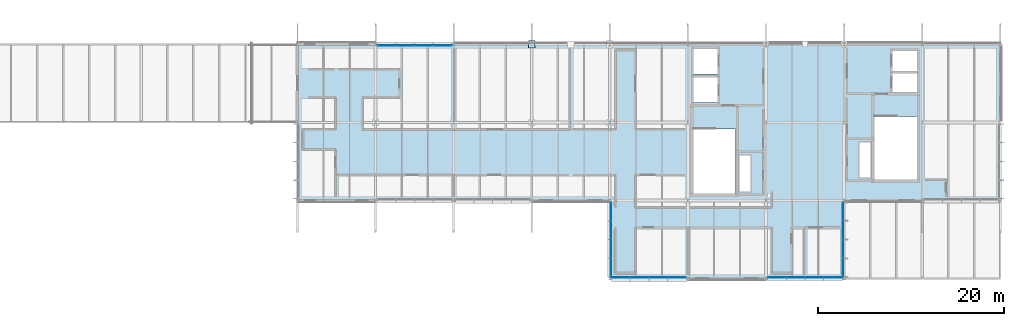
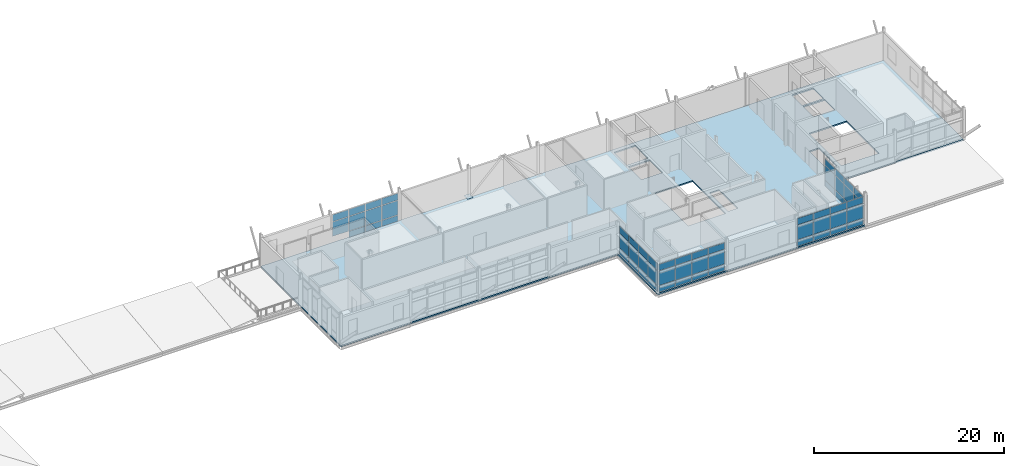
# One storey, part 27 of 35: 60 plates, 1 slab, 5 elements without a shape of their own.
"""IFC4 building model written with IfcOpenShell, lengths in metres."""

from ifc_helpers import new_model, si_unit, direction, frame, origin, origin_2d, place, context, subcontext, project, spatial, polyline, rectangle, outline, extrude, material, layer, layer_set, type_object, element, aggregate, save


model = new_model("IFC4")

# Units and contexts
model_context = context("Model", 3, precision=1e-05, world=origin(), true_north=direction((0.0, 1.0)))
body_context = subcontext(model_context, "Body", "Model", "MODEL_VIEW")
ifc_project = project(units=[si_unit("LENGTHUNIT", "METRE"), si_unit("AREAUNIT", "SQUARE_METRE"), si_unit("VOLUMEUNIT", "CUBIC_METRE"), si_unit("PLANEANGLEUNIT", "RADIAN"), si_unit("MASSUNIT", "GRAM", prefix="KILO")], contexts=[model_context])

# Site, building, storey
site_placement = place(None, origin())
site = spatial("IfcSite", under=ifc_project, at=site_placement, CompositionType="ELEMENT")
building_placement = place(site_placement, origin())
building = spatial("IfcBuilding", under=site, at=building_placement, Name="Mersafa Astral City Hall", CompositionType="ELEMENT")
storey_placement = place(building_placement, frame((0.0, 0.0, 30.14990234375)))
storey = spatial("IfcBuildingStorey", under=building, at=storey_placement, Name="L07", CompositionType="ELEMENT", Elevation=30.14990234375)

# Curtain wall, plates
ifc_material_1 = material(Name="Anodised bronze aluminium framing", Category="aluminium")
curtain_wall_type_1 = type_object("IfcCurtainWallType", Name="ENV-CW-5", PredefinedType="USERDEFINED", material=ifc_material_1)
curtain_wall_1_placement = place(storey_placement, origin())
curtain_wall_1 = element("IfcCurtainWall", 1, at=curtain_wall_1_placement, inside=storey, type_object=curtain_wall_type_1, Name="L07 Unitised solar curtain wall 268", ObjectType="UNITISED CURTAIN WALL", PredefinedType="USERDEFINED")
ifc_material_2 = material(Name="Solar control low-e double glazing", Category="glass")
ifc_layer_1 = layer(ifc_material_2, 0.028076171875, Name="Solar control low-e double glazing")
ifc_layer_set_1 = layer_set([ifc_layer_1], Name="Solar control low-e double glazing — ENV-CW-PNL-GLZ-1")
plate_type_1 = type_object("IfcPlateType", Name="ENV-CW-PNL-GLZ-1", PredefinedType="CURTAIN_PANEL", material=ifc_layer_set_1)
plate_1_placement = place(storey_placement, frame((143.986572265625, 100.919921875, 0.05810546875), z_axis=(0.0, 0.0, 1.0), x_axis=(1.0, 0.0, 0.0)))
plate_1 = element("IfcPlate", 2, at=plate_1_placement, type_object=plate_type_1, Name="CW-5 panel 1.1", PredefinedType="CURTAIN_PANEL", context=body_context, shape_type="SweptSolid", body=[
    extrude(rectangle(XDim=1.928955078125, YDim=0.028076171875, at=origin_2d()), origin(), (0.0, 0.0, 1.0), 0.761962890625),
])
plate_2_placement = place(storey_placement, frame((143.986572265625, 100.919921875, 0.8798828125), z_axis=(0.0, 0.0, 1.0), x_axis=(1.0, 0.0, 0.0)))
plate_2 = element("IfcPlate", 3, at=plate_2_placement, type_object=plate_type_1, Name="CW-5 panel 1.2", PredefinedType="CURTAIN_PANEL", context=body_context, shape_type="SweptSolid", body=[
    extrude(rectangle(XDim=1.928955078125, YDim=0.028076171875, at=origin_2d()), origin(), (0.0, 0.0, 1.0), 1.840087890625),
])
plate_3_placement = place(storey_placement, frame((143.986572265625, 100.919921875, 2.7802734375), z_axis=(0.0, 0.0, 1.0), x_axis=(1.0, 0.0, 0.0)))
plate_3 = element("IfcPlate", 4, at=plate_3_placement, type_object=plate_type_1, Name="CW-5 panel 1.3", PredefinedType="CURTAIN_PANEL", context=body_context, shape_type="SweptSolid", body=[
    extrude(rectangle(XDim=1.928955078125, YDim=0.028076171875, at=origin_2d()), origin(), (0.0, 0.0, 1.0), 0.826904296875),
])
plate_4_placement = place(storey_placement, frame((145.990478515625, 100.919921875, 0.05810546875), z_axis=(0.0, 0.0, 1.0), x_axis=(1.0, 0.0, 0.0)))
plate_4 = element("IfcPlate", 5, at=plate_4_placement, type_object=plate_type_1, Name="CW-5 panel 2.1", PredefinedType="CURTAIN_PANEL", context=body_context, shape_type="SweptSolid", body=[
    extrude(rectangle(XDim=1.958984375, YDim=0.028076171875, at=origin_2d()), origin(), (0.0, 0.0, 1.0), 0.761962890625),
])
plate_5_placement = place(storey_placement, frame((145.990478515625, 100.919921875, 0.8798828125), z_axis=(0.0, 0.0, 1.0), x_axis=(1.0, 0.0, 0.0)))
plate_5 = element("IfcPlate", 6, at=plate_5_placement, type_object=plate_type_1, Name="CW-5 panel 2.2", PredefinedType="CURTAIN_PANEL", context=body_context, shape_type="SweptSolid", body=[
    extrude(rectangle(XDim=1.958984375, YDim=0.028076171875, at=origin_2d()), origin(), (0.0, 0.0, 1.0), 1.840087890625),
])
plate_6_placement = place(storey_placement, frame((145.990478515625, 100.919921875, 2.7802734375), z_axis=(0.0, 0.0, 1.0), x_axis=(1.0, 0.0, 0.0)))
plate_6 = element("IfcPlate", 7, at=plate_6_placement, type_object=plate_type_1, Name="CW-5 panel 2.3", PredefinedType="CURTAIN_PANEL", context=body_context, shape_type="SweptSolid", body=[
    extrude(rectangle(XDim=1.958984375, YDim=0.028076171875, at=origin_2d()), origin(), (0.0, 0.0, 1.0), 0.826904296875),
])
plate_7_placement = place(storey_placement, frame((148.009521484375, 100.919921875, 0.05810546875), z_axis=(0.0, 0.0, 1.0), x_axis=(1.0, 0.0, 0.0)))
plate_7 = element("IfcPlate", 8, at=plate_7_placement, type_object=plate_type_1, Name="CW-5 panel 3.1", PredefinedType="CURTAIN_PANEL", context=body_context, shape_type="SweptSolid", body=[
    extrude(rectangle(XDim=1.958984375, YDim=0.028076171875, at=origin_2d()), origin(), (0.0, 0.0, 1.0), 0.761962890625),
])
plate_8_placement = place(storey_placement, frame((148.009521484375, 100.919921875, 0.8798828125), z_axis=(0.0, 0.0, 1.0), x_axis=(1.0, 0.0, 0.0)))
plate_8 = element("IfcPlate", 9, at=plate_8_placement, type_object=plate_type_1, Name="CW-5 panel 3.2", PredefinedType="CURTAIN_PANEL", context=body_context, shape_type="SweptSolid", body=[
    extrude(rectangle(XDim=1.958984375, YDim=0.028076171875, at=origin_2d()), origin(), (0.0, 0.0, 1.0), 1.840087890625),
])
plate_9_placement = place(storey_placement, frame((148.009521484375, 100.919921875, 2.7802734375), z_axis=(0.0, 0.0, 1.0), x_axis=(1.0, 0.0, 0.0)))
plate_9 = element("IfcPlate", 10, at=plate_9_placement, type_object=plate_type_1, Name="CW-5 panel 3.3", PredefinedType="CURTAIN_PANEL", context=body_context, shape_type="SweptSolid", body=[
    extrude(rectangle(XDim=1.958984375, YDim=0.028076171875, at=origin_2d()), origin(), (0.0, 0.0, 1.0), 0.826904296875),
])
plate_10_placement = place(storey_placement, frame((150.013427734375, 100.919921875, 0.05810546875), z_axis=(0.0, 0.0, 1.0), x_axis=(1.0, 0.0, 0.0)))
plate_10 = element("IfcPlate", 11, at=plate_10_placement, type_object=plate_type_1, Name="CW-5 panel 4.1", PredefinedType="CURTAIN_PANEL", context=body_context, shape_type="SweptSolid", body=[
    extrude(rectangle(XDim=1.928955078125, YDim=0.028076171875, at=origin_2d()), origin(), (0.0, 0.0, 1.0), 0.761962890625),
])
plate_11_placement = place(storey_placement, frame((150.013427734375, 100.919921875, 0.8798828125), z_axis=(0.0, 0.0, 1.0), x_axis=(1.0, 0.0, 0.0)))
plate_11 = element("IfcPlate", 12, at=plate_11_placement, type_object=plate_type_1, Name="CW-5 panel 4.2", PredefinedType="CURTAIN_PANEL", context=body_context, shape_type="SweptSolid", body=[
    extrude(rectangle(XDim=1.928955078125, YDim=0.028076171875, at=origin_2d()), origin(), (0.0, 0.0, 1.0), 1.840087890625),
])
plate_12_placement = place(storey_placement, frame((150.013427734375, 100.919921875, 2.7802734375), z_axis=(0.0, 0.0, 1.0), x_axis=(1.0, 0.0, 0.0)))
plate_12 = element("IfcPlate", 13, at=plate_12_placement, type_object=plate_type_1, Name="CW-5 panel 4.3", PredefinedType="CURTAIN_PANEL", context=body_context, shape_type="SweptSolid", body=[
    extrude(rectangle(XDim=1.928955078125, YDim=0.028076171875, at=origin_2d()), origin(), (0.0, 0.0, 1.0), 0.826904296875),
])
aggregate(curtain_wall_1, [plate_1, plate_2, plate_3, plate_4, plate_5, plate_6, plate_7, plate_8, plate_9, plate_10, plate_11, plate_12])

curtain_wall_type_2 = type_object("IfcCurtainWallType", Name="ENV-CW-6", PredefinedType="USERDEFINED", material=ifc_material_1)
curtain_wall_2_placement = place(storey_placement, origin())
curtain_wall_2 = element("IfcCurtainWall", 14, at=curtain_wall_2_placement, inside=storey, type_object=curtain_wall_type_2, Name="L07 Unitised solar curtain wall 269", ObjectType="UNITISED CURTAIN WALL", PredefinedType="USERDEFINED")
ifc_layer_2 = layer(ifc_material_2, 0.031982421875, Name="Solar control low-e double glazing")
ifc_layer_set_2 = layer_set([ifc_layer_2], Name="Solar control low-e double glazing — ENV-CW-PNL-GLZ-2")
plate_type_2 = type_object("IfcPlateType", Name="ENV-CW-PNL-GLZ-2", PredefinedType="CURTAIN_PANEL", material=ifc_layer_set_2)
plate_13_placement = place(storey_placement, frame((160.78662109375, 100.919921875, 0.05810546875), z_axis=(0.0, 0.0, 1.0), x_axis=(1.0, 0.0, 0.0)))
plate_13 = element("IfcPlate", 15, at=plate_13_placement, type_object=plate_type_2, Name="CW-6 panel 1.1", PredefinedType="CURTAIN_PANEL", context=body_context, shape_type="SweptSolid", body=[
    extrude(rectangle(XDim=1.928955078125, YDim=0.031982421875, at=origin_2d()), origin(), (0.0, 0.0, 1.0), 0.761962890625),
])
plate_14_placement = place(storey_placement, frame((160.78662109375, 100.919921875, 0.8798828125), z_axis=(0.0, 0.0, 1.0), x_axis=(1.0, 0.0, 0.0)))
plate_14 = element("IfcPlate", 16, at=plate_14_placement, type_object=plate_type_2, Name="CW-6 panel 1.2", PredefinedType="CURTAIN_PANEL", context=body_context, shape_type="SweptSolid", body=[
    extrude(rectangle(XDim=1.928955078125, YDim=0.031982421875, at=origin_2d()), origin(), (0.0, 0.0, 1.0), 1.840087890625),
])
plate_15_placement = place(storey_placement, frame((160.78662109375, 100.919921875, 2.7802734375), z_axis=(0.0, 0.0, 1.0), x_axis=(1.0, 0.0, 0.0)))
plate_15 = element("IfcPlate", 17, at=plate_15_placement, type_object=plate_type_2, Name="CW-6 panel 1.3", PredefinedType="CURTAIN_PANEL", context=body_context, shape_type="SweptSolid", body=[
    extrude(rectangle(XDim=1.928955078125, YDim=0.031982421875, at=origin_2d()), origin(), (0.0, 0.0, 1.0), 0.826904296875),
])
plate_16_placement = place(storey_placement, frame((162.79052734375, 100.919921875, 0.05810546875), z_axis=(0.0, 0.0, 1.0), x_axis=(1.0, 0.0, 0.0)))
plate_16 = element("IfcPlate", 18, at=plate_16_placement, type_object=plate_type_2, Name="CW-6 panel 2.1", PredefinedType="CURTAIN_PANEL", context=body_context, shape_type="SweptSolid", body=[
    extrude(rectangle(XDim=1.958984375, YDim=0.031982421875, at=origin_2d()), origin(), (0.0, 0.0, 1.0), 0.761962890625),
])
plate_17_placement = place(storey_placement, frame((162.79052734375, 100.919921875, 0.8798828125), z_axis=(0.0, 0.0, 1.0), x_axis=(1.0, 0.0, 0.0)))
plate_17 = element("IfcPlate", 19, at=plate_17_placement, type_object=plate_type_2, Name="CW-6 panel 2.2", PredefinedType="CURTAIN_PANEL", context=body_context, shape_type="SweptSolid", body=[
    extrude(rectangle(XDim=1.958984375, YDim=0.031982421875, at=origin_2d()), origin(), (0.0, 0.0, 1.0), 1.840087890625),
])
plate_18_placement = place(storey_placement, frame((162.79052734375, 100.919921875, 2.7802734375), z_axis=(0.0, 0.0, 1.0), x_axis=(1.0, 0.0, 0.0)))
plate_18 = element("IfcPlate", 20, at=plate_18_placement, type_object=plate_type_2, Name="CW-6 panel 2.3", PredefinedType="CURTAIN_PANEL", context=body_context, shape_type="SweptSolid", body=[
    extrude(rectangle(XDim=1.958984375, YDim=0.031982421875, at=origin_2d()), origin(), (0.0, 0.0, 1.0), 0.826904296875),
])
plate_19_placement = place(storey_placement, frame((164.8095703125, 100.919921875, 0.05810546875), z_axis=(0.0, 0.0, 1.0), x_axis=(1.0, 0.0, 0.0)))
plate_19 = element("IfcPlate", 21, at=plate_19_placement, type_object=plate_type_2, Name="CW-6 panel 3.1", PredefinedType="CURTAIN_PANEL", context=body_context, shape_type="SweptSolid", body=[
    extrude(rectangle(XDim=1.958984375, YDim=0.031982421875, at=origin_2d()), origin(), (0.0, 0.0, 1.0), 0.761962890625),
])
plate_20_placement = place(storey_placement, frame((164.8095703125, 100.919921875, 0.8798828125), z_axis=(0.0, 0.0, 1.0), x_axis=(1.0, 0.0, 0.0)))
plate_20 = element("IfcPlate", 22, at=plate_20_placement, type_object=plate_type_2, Name="CW-6 panel 3.2", PredefinedType="CURTAIN_PANEL", context=body_context, shape_type="SweptSolid", body=[
    extrude(rectangle(XDim=1.958984375, YDim=0.031982421875, at=origin_2d()), origin(), (0.0, 0.0, 1.0), 1.840087890625),
])
plate_21_placement = place(storey_placement, frame((164.8095703125, 100.919921875, 2.7802734375), z_axis=(0.0, 0.0, 1.0), x_axis=(1.0, 0.0, 0.0)))
plate_21 = element("IfcPlate", 23, at=plate_21_placement, type_object=plate_type_2, Name="CW-6 panel 3.3", PredefinedType="CURTAIN_PANEL", context=body_context, shape_type="SweptSolid", body=[
    extrude(rectangle(XDim=1.958984375, YDim=0.031982421875, at=origin_2d()), origin(), (0.0, 0.0, 1.0), 0.826904296875),
])
plate_22_placement = place(storey_placement, frame((166.8134765625, 100.919921875, 0.05810546875), z_axis=(0.0, 0.0, 1.0), x_axis=(1.0, 0.0, 0.0)))
plate_22 = element("IfcPlate", 24, at=plate_22_placement, type_object=plate_type_2, Name="CW-6 panel 4.1", PredefinedType="CURTAIN_PANEL", context=body_context, shape_type="SweptSolid", body=[
    extrude(rectangle(XDim=1.928955078125, YDim=0.031982421875, at=origin_2d()), origin(), (0.0, 0.0, 1.0), 0.761962890625),
])
plate_23_placement = place(storey_placement, frame((166.8134765625, 100.919921875, 0.8798828125), z_axis=(0.0, 0.0, 1.0), x_axis=(1.0, 0.0, 0.0)))
plate_23 = element("IfcPlate", 25, at=plate_23_placement, type_object=plate_type_2, Name="CW-6 panel 4.2", PredefinedType="CURTAIN_PANEL", context=body_context, shape_type="SweptSolid", body=[
    extrude(rectangle(XDim=1.928955078125, YDim=0.031982421875, at=origin_2d()), origin(), (0.0, 0.0, 1.0), 1.840087890625),
])
plate_24_placement = place(storey_placement, frame((166.8134765625, 100.919921875, 2.7802734375), z_axis=(0.0, 0.0, 1.0), x_axis=(1.0, 0.0, 0.0)))
plate_24 = element("IfcPlate", 26, at=plate_24_placement, type_object=plate_type_2, Name="CW-6 panel 4.3", PredefinedType="CURTAIN_PANEL", context=body_context, shape_type="SweptSolid", body=[
    extrude(rectangle(XDim=1.928955078125, YDim=0.031982421875, at=origin_2d()), origin(), (0.0, 0.0, 1.0), 0.826904296875),
])
aggregate(curtain_wall_2, [plate_13, plate_14, plate_15, plate_16, plate_17, plate_18, plate_19, plate_20, plate_21, plate_22, plate_23, plate_24])

curtain_wall_type_3 = type_object("IfcCurtainWallType", Name="ENV-CW-4", PredefinedType="USERDEFINED", material=ifc_material_1)
curtain_wall_3_placement = place(storey_placement, origin())
curtain_wall_3 = element("IfcCurtainWall", 27, at=curtain_wall_3_placement, inside=storey, type_object=curtain_wall_type_3, Name="L07 Unitised solar curtain wall 273", ObjectType="UNITISED CURTAIN WALL", PredefinedType="USERDEFINED")
plate_25_placement = place(storey_placement, frame((124.8134765625, 125.8798828125, 0.05810546875), z_axis=(0.0, 0.0, 1.0), x_axis=(-1.0, 0.0, 0.0)))
plate_25 = element("IfcPlate", 28, at=plate_25_placement, type_object=plate_type_2, Name="CW-4 panel 1.1", PredefinedType="CURTAIN_PANEL", context=body_context, shape_type="SweptSolid", body=[
    extrude(rectangle(XDim=1.928955078125, YDim=0.031982421875, at=origin_2d()), origin(), (0.0, 0.0, 1.0), 0.761962890625),
])
plate_26_placement = place(storey_placement, frame((124.8134765625, 125.8798828125, 0.8798828125), z_axis=(0.0, 0.0, 1.0), x_axis=(-1.0, 0.0, 0.0)))
plate_26 = element("IfcPlate", 29, at=plate_26_placement, type_object=plate_type_2, Name="CW-4 panel 1.2", PredefinedType="CURTAIN_PANEL", context=body_context, shape_type="SweptSolid", body=[
    extrude(rectangle(XDim=1.928955078125, YDim=0.031982421875, at=origin_2d()), origin(), (0.0, 0.0, 1.0), 1.840087890625),
])
plate_27_placement = place(storey_placement, frame((124.8134765625, 125.8798828125, 2.7802734375), z_axis=(0.0, 0.0, 1.0), x_axis=(-1.0, 0.0, 0.0)))
plate_27 = element("IfcPlate", 30, at=plate_27_placement, type_object=plate_type_2, Name="CW-4 panel 1.3", PredefinedType="CURTAIN_PANEL", context=body_context, shape_type="SweptSolid", body=[
    extrude(rectangle(XDim=1.928955078125, YDim=0.031982421875, at=origin_2d()), origin(), (0.0, 0.0, 1.0), 0.866943359375),
])
plate_28_placement = place(storey_placement, frame((122.8095703125, 125.8798828125, 0.05810546875), z_axis=(0.0, 0.0, 1.0), x_axis=(-1.0, 0.0, 0.0)))
plate_28 = element("IfcPlate", 31, at=plate_28_placement, type_object=plate_type_2, Name="CW-4 panel 2.1", PredefinedType="CURTAIN_PANEL", context=body_context, shape_type="SweptSolid", body=[
    extrude(rectangle(XDim=1.958984375, YDim=0.031982421875, at=origin_2d()), origin(), (0.0, 0.0, 1.0), 0.761962890625),
])
plate_29_placement = place(storey_placement, frame((122.8095703125, 125.8798828125, 0.8798828125), z_axis=(0.0, 0.0, 1.0), x_axis=(-1.0, 0.0, 0.0)))
plate_29 = element("IfcPlate", 32, at=plate_29_placement, type_object=plate_type_2, Name="CW-4 panel 2.2", PredefinedType="CURTAIN_PANEL", context=body_context, shape_type="SweptSolid", body=[
    extrude(rectangle(XDim=1.958984375, YDim=0.031982421875, at=origin_2d()), origin(), (0.0, 0.0, 1.0), 1.840087890625),
])
plate_30_placement = place(storey_placement, frame((122.8095703125, 125.8798828125, 2.7802734375), z_axis=(0.0, 0.0, 1.0), x_axis=(-1.0, 0.0, 0.0)))
plate_30 = element("IfcPlate", 33, at=plate_30_placement, type_object=plate_type_2, Name="CW-4 panel 2.3", PredefinedType="CURTAIN_PANEL", context=body_context, shape_type="SweptSolid", body=[
    extrude(rectangle(XDim=1.958984375, YDim=0.031982421875, at=origin_2d()), origin(), (0.0, 0.0, 1.0), 0.866943359375),
])
plate_31_placement = place(storey_placement, frame((120.79052734375, 125.8798828125, 0.05810546875), z_axis=(0.0, 0.0, 1.0), x_axis=(-1.0, 0.0, 0.0)))
plate_31 = element("IfcPlate", 34, at=plate_31_placement, type_object=plate_type_2, Name="CW-4 panel 3.1", PredefinedType="CURTAIN_PANEL", context=body_context, shape_type="SweptSolid", body=[
    extrude(rectangle(XDim=1.958984375, YDim=0.031982421875, at=origin_2d()), origin(), (0.0, 0.0, 1.0), 0.761962890625),
])
plate_32_placement = place(storey_placement, frame((120.79052734375, 125.8798828125, 0.8798828125), z_axis=(0.0, 0.0, 1.0), x_axis=(-1.0, 0.0, 0.0)))
plate_32 = element("IfcPlate", 35, at=plate_32_placement, type_object=plate_type_2, Name="CW-4 panel 3.2", PredefinedType="CURTAIN_PANEL", context=body_context, shape_type="SweptSolid", body=[
    extrude(rectangle(XDim=1.958984375, YDim=0.031982421875, at=origin_2d()), origin(), (0.0, 0.0, 1.0), 1.840087890625),
])
plate_33_placement = place(storey_placement, frame((120.79052734375, 125.8798828125, 2.7802734375), z_axis=(0.0, 0.0, 1.0), x_axis=(-1.0, 0.0, 0.0)))
plate_33 = element("IfcPlate", 36, at=plate_33_placement, type_object=plate_type_2, Name="CW-4 panel 3.3", PredefinedType="CURTAIN_PANEL", context=body_context, shape_type="SweptSolid", body=[
    extrude(rectangle(XDim=1.958984375, YDim=0.031982421875, at=origin_2d()), origin(), (0.0, 0.0, 1.0), 0.866943359375),
])
plate_34_placement = place(storey_placement, frame((118.78662109375, 125.8798828125, 0.8798828125), z_axis=(0.0, 0.0, 1.0), x_axis=(-1.0, 0.0, 0.0)))
plate_34 = element("IfcPlate", 37, at=plate_34_placement, type_object=plate_type_2, Name="CW-4 panel 4.2", PredefinedType="CURTAIN_PANEL", context=body_context, shape_type="SweptSolid", body=[
    extrude(rectangle(XDim=1.928955078125, YDim=0.031982421875, at=origin_2d()), origin(), (0.0, 0.0, 1.0), 1.840087890625),
])
plate_35_placement = place(storey_placement, frame((118.78662109375, 125.8798828125, 2.7802734375), z_axis=(0.0, 0.0, 1.0), x_axis=(-1.0, 0.0, 0.0)))
plate_35 = element("IfcPlate", 38, at=plate_35_placement, type_object=plate_type_2, Name="CW-4 panel 4.3", PredefinedType="CURTAIN_PANEL", context=body_context, shape_type="SweptSolid", body=[
    extrude(rectangle(XDim=1.928955078125, YDim=0.031982421875, at=origin_2d()), origin(), (0.0, 0.0, 1.0), 0.866943359375),
])
aggregate(curtain_wall_3, [plate_25, plate_26, plate_27, plate_28, plate_29, plate_30, plate_31, plate_32, plate_33, plate_34, plate_35])

curtain_wall_type_4 = type_object("IfcCurtainWallType", Name="ENV-CW-2", PredefinedType="USERDEFINED", material=ifc_material_1)
curtain_wall_4_placement = place(storey_placement, origin())
curtain_wall_4 = element("IfcCurtainWall", 39, at=curtain_wall_4_placement, inside=storey, type_object=curtain_wall_type_4, Name="L07 Unitised solar curtain wall 277", ObjectType="UNITISED CURTAIN WALL", PredefinedType="USERDEFINED")
plate_36_placement = place(storey_placement, frame((142.919921875, 108.013427734375, 0.05810546875), z_axis=(0.0, 0.0, 1.0), x_axis=(0.0, -1.0, 0.0)))
plate_36 = element("IfcPlate", 40, at=plate_36_placement, type_object=plate_type_2, Name="CW-2 panel 1.1", PredefinedType="CURTAIN_PANEL", context=body_context, shape_type="SweptSolid", body=[
    extrude(rectangle(XDim=1.928955078125, YDim=0.031982421875, at=origin_2d()), origin(), (0.0, 0.0, 1.0), 0.761962890625),
])
plate_37_placement = place(storey_placement, frame((142.919921875, 108.013427734375, 0.8798828125), z_axis=(0.0, 0.0, 1.0), x_axis=(0.0, -1.0, 0.0)))
plate_37 = element("IfcPlate", 41, at=plate_37_placement, type_object=plate_type_2, Name="CW-2 panel 1.2", PredefinedType="CURTAIN_PANEL", context=body_context, shape_type="SweptSolid", body=[
    extrude(rectangle(XDim=1.928955078125, YDim=0.031982421875, at=origin_2d()), origin(), (0.0, 0.0, 1.0), 1.840087890625),
])
plate_38_placement = place(storey_placement, frame((142.919921875, 108.013427734375, 2.7802734375), z_axis=(0.0, 0.0, 1.0), x_axis=(0.0, -1.0, 0.0)))
plate_38 = element("IfcPlate", 42, at=plate_38_placement, type_object=plate_type_2, Name="CW-2 panel 1.3", PredefinedType="CURTAIN_PANEL", context=body_context, shape_type="SweptSolid", body=[
    extrude(rectangle(XDim=1.928955078125, YDim=0.031982421875, at=origin_2d()), origin(), (0.0, 0.0, 1.0), 0.886962890625),
])
plate_39_placement = place(storey_placement, frame((142.919921875, 106.009521484375, 0.05810546875), z_axis=(0.0, 0.0, 1.0), x_axis=(0.0, -1.0, 0.0)))
plate_39 = element("IfcPlate", 43, at=plate_39_placement, type_object=plate_type_2, Name="CW-2 panel 2.1", PredefinedType="CURTAIN_PANEL", context=body_context, shape_type="SweptSolid", body=[
    extrude(rectangle(XDim=1.958984375, YDim=0.031982421875, at=origin_2d()), origin(), (0.0, 0.0, 1.0), 0.761962890625),
])
plate_40_placement = place(storey_placement, frame((142.919921875, 106.009521484375, 0.8798828125), z_axis=(0.0, 0.0, 1.0), x_axis=(0.0, -1.0, 0.0)))
plate_40 = element("IfcPlate", 44, at=plate_40_placement, type_object=plate_type_2, Name="CW-2 panel 2.2", PredefinedType="CURTAIN_PANEL", context=body_context, shape_type="SweptSolid", body=[
    extrude(rectangle(XDim=1.958984375, YDim=0.031982421875, at=origin_2d()), origin(), (0.0, 0.0, 1.0), 1.840087890625),
])
plate_41_placement = place(storey_placement, frame((142.919921875, 106.009521484375, 2.7802734375), z_axis=(0.0, 0.0, 1.0), x_axis=(0.0, -1.0, 0.0)))
plate_41 = element("IfcPlate", 45, at=plate_41_placement, type_object=plate_type_2, Name="CW-2 panel 2.3", PredefinedType="CURTAIN_PANEL", context=body_context, shape_type="SweptSolid", body=[
    extrude(rectangle(XDim=1.958984375, YDim=0.031982421875, at=origin_2d()), origin(), (0.0, 0.0, 1.0), 0.886962890625),
])
plate_42_placement = place(storey_placement, frame((142.919921875, 103.990478515625, 0.05810546875), z_axis=(0.0, 0.0, 1.0), x_axis=(0.0, -1.0, 0.0)))
plate_42 = element("IfcPlate", 46, at=plate_42_placement, type_object=plate_type_2, Name="CW-2 panel 3.1", PredefinedType="CURTAIN_PANEL", context=body_context, shape_type="SweptSolid", body=[
    extrude(rectangle(XDim=1.958984375, YDim=0.031982421875, at=origin_2d()), origin(), (0.0, 0.0, 1.0), 0.761962890625),
])
plate_43_placement = place(storey_placement, frame((142.919921875, 103.990478515625, 0.8798828125), z_axis=(0.0, 0.0, 1.0), x_axis=(0.0, -1.0, 0.0)))
plate_43 = element("IfcPlate", 47, at=plate_43_placement, type_object=plate_type_2, Name="CW-2 panel 3.2", PredefinedType="CURTAIN_PANEL", context=body_context, shape_type="SweptSolid", body=[
    extrude(rectangle(XDim=1.958984375, YDim=0.031982421875, at=origin_2d()), origin(), (0.0, 0.0, 1.0), 1.840087890625),
])
plate_44_placement = place(storey_placement, frame((142.919921875, 103.990478515625, 2.7802734375), z_axis=(0.0, 0.0, 1.0), x_axis=(0.0, -1.0, 0.0)))
plate_44 = element("IfcPlate", 48, at=plate_44_placement, type_object=plate_type_2, Name="CW-2 panel 3.3", PredefinedType="CURTAIN_PANEL", context=body_context, shape_type="SweptSolid", body=[
    extrude(rectangle(XDim=1.958984375, YDim=0.031982421875, at=origin_2d()), origin(), (0.0, 0.0, 1.0), 0.886962890625),
])
plate_45_placement = place(storey_placement, frame((142.919921875, 101.986572265625, 0.05810546875), z_axis=(0.0, 0.0, 1.0), x_axis=(0.0, -1.0, 0.0)))
plate_45 = element("IfcPlate", 49, at=plate_45_placement, type_object=plate_type_2, Name="CW-2 panel 4.1", PredefinedType="CURTAIN_PANEL", context=body_context, shape_type="SweptSolid", body=[
    extrude(rectangle(XDim=1.928955078125, YDim=0.031982421875, at=origin_2d()), origin(), (0.0, 0.0, 1.0), 0.761962890625),
])
plate_46_placement = place(storey_placement, frame((142.919921875, 101.986572265625, 0.8798828125), z_axis=(0.0, 0.0, 1.0), x_axis=(0.0, -1.0, 0.0)))
plate_46 = element("IfcPlate", 50, at=plate_46_placement, type_object=plate_type_2, Name="CW-2 panel 4.2", PredefinedType="CURTAIN_PANEL", context=body_context, shape_type="SweptSolid", body=[
    extrude(rectangle(XDim=1.928955078125, YDim=0.031982421875, at=origin_2d()), origin(), (0.0, 0.0, 1.0), 1.840087890625),
])
plate_47_placement = place(storey_placement, frame((142.919921875, 101.986572265625, 2.7802734375), z_axis=(0.0, 0.0, 1.0), x_axis=(0.0, -1.0, 0.0)))
plate_47 = element("IfcPlate", 51, at=plate_47_placement, type_object=plate_type_2, Name="CW-2 panel 4.3", PredefinedType="CURTAIN_PANEL", context=body_context, shape_type="SweptSolid", body=[
    extrude(rectangle(XDim=1.928955078125, YDim=0.031982421875, at=origin_2d()), origin(), (0.0, 0.0, 1.0), 0.886962890625),
])
aggregate(curtain_wall_4, [plate_36, plate_37, plate_38, plate_39, plate_40, plate_41, plate_42, plate_43, plate_44, plate_45, plate_46, plate_47])

curtain_wall_type_5 = type_object("IfcCurtainWallType", Name="ENV-CW-1", PredefinedType="USERDEFINED", material=ifc_material_1)
curtain_wall_5_placement = place(storey_placement, origin())
curtain_wall_5 = element("IfcCurtainWall", 52, at=curtain_wall_5_placement, inside=storey, type_object=curtain_wall_type_5, Name="L07 Unitised solar curtain wall 270", ObjectType="UNITISED CURTAIN WALL", PredefinedType="USERDEFINED")
ifc_layer_3 = layer(ifc_material_2, 0.035888671875, Name="Solar control low-e double glazing")
ifc_layer_set_3 = layer_set([ifc_layer_3], Name="Solar control low-e double glazing — ENV-CW-PNL-GLZ-3")
plate_type_3 = type_object("IfcPlateType", Name="ENV-CW-PNL-GLZ-3", PredefinedType="CURTAIN_PANEL", material=ifc_layer_set_3)
plate_48_placement = place(storey_placement, frame((167.8798828125, 101.986572265625, 0.05810546875), z_axis=(0.0, 0.0, 1.0), x_axis=(0.0, 1.0, 0.0)))
plate_48 = element("IfcPlate", 53, at=plate_48_placement, type_object=plate_type_3, Name="CW-1 panel 1.1", PredefinedType="CURTAIN_PANEL", context=body_context, shape_type="SweptSolid", body=[
    extrude(rectangle(XDim=1.928955078125, YDim=0.035888671875, at=origin_2d()), origin(), (0.0, 0.0, 1.0), 0.761962890625),
])
plate_49_placement = place(storey_placement, frame((167.8798828125, 101.986572265625, 0.8798828125), z_axis=(0.0, 0.0, 1.0), x_axis=(0.0, 1.0, 0.0)))
plate_49 = element("IfcPlate", 54, at=plate_49_placement, type_object=plate_type_3, Name="CW-1 panel 1.2", PredefinedType="CURTAIN_PANEL", context=body_context, shape_type="SweptSolid", body=[
    extrude(rectangle(XDim=1.928955078125, YDim=0.035888671875, at=origin_2d()), origin(), (0.0, 0.0, 1.0), 1.840087890625),
])
plate_50_placement = place(storey_placement, frame((167.8798828125, 101.986572265625, 2.7802734375), z_axis=(0.0, 0.0, 1.0), x_axis=(0.0, 1.0, 0.0)))
plate_50 = element("IfcPlate", 55, at=plate_50_placement, type_object=plate_type_3, Name="CW-1 panel 1.3", PredefinedType="CURTAIN_PANEL", context=body_context, shape_type="SweptSolid", body=[
    extrude(rectangle(XDim=1.928955078125, YDim=0.035888671875, at=origin_2d()), origin(), (0.0, 0.0, 1.0), 0.797119140625),
])
plate_51_placement = place(storey_placement, frame((167.8798828125, 103.990478515625, 0.05810546875), z_axis=(0.0, 0.0, 1.0), x_axis=(0.0, 1.0, 0.0)))
plate_51 = element("IfcPlate", 56, at=plate_51_placement, type_object=plate_type_3, Name="CW-1 panel 2.1", PredefinedType="CURTAIN_PANEL", context=body_context, shape_type="SweptSolid", body=[
    extrude(rectangle(XDim=1.958984375, YDim=0.035888671875, at=origin_2d()), origin(), (0.0, 0.0, 1.0), 0.761962890625),
])
plate_52_placement = place(storey_placement, frame((167.8798828125, 103.990478515625, 0.8798828125), z_axis=(0.0, 0.0, 1.0), x_axis=(0.0, 1.0, 0.0)))
plate_52 = element("IfcPlate", 57, at=plate_52_placement, type_object=plate_type_3, Name="CW-1 panel 2.2", PredefinedType="CURTAIN_PANEL", context=body_context, shape_type="SweptSolid", body=[
    extrude(rectangle(XDim=1.958984375, YDim=0.035888671875, at=origin_2d()), origin(), (0.0, 0.0, 1.0), 1.840087890625),
])
plate_53_placement = place(storey_placement, frame((167.8798828125, 103.990478515625, 2.7802734375), z_axis=(0.0, 0.0, 1.0), x_axis=(0.0, 1.0, 0.0)))
plate_53 = element("IfcPlate", 58, at=plate_53_placement, type_object=plate_type_3, Name="CW-1 panel 2.3", PredefinedType="CURTAIN_PANEL", context=body_context, shape_type="SweptSolid", body=[
    extrude(rectangle(XDim=1.958984375, YDim=0.035888671875, at=origin_2d()), origin(), (0.0, 0.0, 1.0), 0.797119140625),
])
plate_54_placement = place(storey_placement, frame((167.8798828125, 106.009521484375, 0.05810546875), z_axis=(0.0, 0.0, 1.0), x_axis=(0.0, 1.0, 0.0)))
plate_54 = element("IfcPlate", 59, at=plate_54_placement, type_object=plate_type_3, Name="CW-1 panel 3.1", PredefinedType="CURTAIN_PANEL", context=body_context, shape_type="SweptSolid", body=[
    extrude(rectangle(XDim=1.958984375, YDim=0.035888671875, at=origin_2d()), origin(), (0.0, 0.0, 1.0), 0.761962890625),
])
plate_55_placement = place(storey_placement, frame((167.8798828125, 106.009521484375, 0.8798828125), z_axis=(0.0, 0.0, 1.0), x_axis=(0.0, 1.0, 0.0)))
plate_55 = element("IfcPlate", 60, at=plate_55_placement, type_object=plate_type_3, Name="CW-1 panel 3.2", PredefinedType="CURTAIN_PANEL", context=body_context, shape_type="SweptSolid", body=[
    extrude(rectangle(XDim=1.958984375, YDim=0.035888671875, at=origin_2d()), origin(), (0.0, 0.0, 1.0), 1.840087890625),
])
plate_56_placement = place(storey_placement, frame((167.8798828125, 106.009521484375, 2.7802734375), z_axis=(0.0, 0.0, 1.0), x_axis=(0.0, 1.0, 0.0)))
plate_56 = element("IfcPlate", 61, at=plate_56_placement, type_object=plate_type_3, Name="CW-1 panel 3.3", PredefinedType="CURTAIN_PANEL", context=body_context, shape_type="SweptSolid", body=[
    extrude(rectangle(XDim=1.958984375, YDim=0.035888671875, at=origin_2d()), origin(), (0.0, 0.0, 1.0), 0.797119140625),
])
plate_57_placement = place(storey_placement, frame((167.8798828125, 108.013427734375, 0.05810546875), z_axis=(0.0, 0.0, 1.0), x_axis=(0.0, 1.0, 0.0)))
plate_57 = element("IfcPlate", 62, at=plate_57_placement, type_object=plate_type_3, Name="CW-1 panel 4.1", PredefinedType="CURTAIN_PANEL", context=body_context, shape_type="SweptSolid", body=[
    extrude(rectangle(XDim=1.928955078125, YDim=0.035888671875, at=origin_2d()), origin(), (0.0, 0.0, 1.0), 0.761962890625),
])
plate_58_placement = place(storey_placement, frame((167.8798828125, 108.013427734375, 0.8798828125), z_axis=(0.0, 0.0, 1.0), x_axis=(0.0, 1.0, 0.0)))
plate_58 = element("IfcPlate", 63, at=plate_58_placement, type_object=plate_type_3, Name="CW-1 panel 4.2", PredefinedType="CURTAIN_PANEL", context=body_context, shape_type="SweptSolid", body=[
    extrude(rectangle(XDim=1.928955078125, YDim=0.035888671875, at=origin_2d()), origin(), (0.0, 0.0, 1.0), 1.840087890625),
])
plate_59_placement = place(storey_placement, frame((167.8798828125, 108.013427734375, 2.7802734375), z_axis=(0.0, 0.0, 1.0), x_axis=(0.0, 1.0, 0.0)))
plate_59 = element("IfcPlate", 64, at=plate_59_placement, type_object=plate_type_3, Name="CW-1 panel 4.3", PredefinedType="CURTAIN_PANEL", context=body_context, shape_type="SweptSolid", body=[
    extrude(rectangle(XDim=1.928955078125, YDim=0.035888671875, at=origin_2d()), origin(), (0.0, 0.0, 1.0), 0.797119140625),
])
aggregate(curtain_wall_5, [plate_48, plate_49, plate_50, plate_51, plate_52, plate_53, plate_54, plate_55, plate_56, plate_57, plate_58, plate_59])

# Plate
ifc_material_3 = material(Name="Steel S355", Category="steel")
ifc_layer_4 = layer(ifc_material_3, 0.027099609375, Name="Steel S355")
ifc_layer_set_4 = layer_set([ifc_layer_4], Name="Steel S355 — STR-PLT-NP-14")
plate_type_4 = type_object("IfcPlateType", Name="STR-PLT-NP-14", PredefinedType="SHEET", material=ifc_layer_set_4)
plate_60_placement = place(storey_placement, frame((134.39794921875, 126.0, 0.1064453125), z_axis=(0.0, 0.0, 1.0), x_axis=(1.0, 0.0, 0.0)))
element("IfcPlate", 65, at=plate_60_placement, inside=storey, type_object=plate_type_4, Name="L07 Structural steel brace gusset plate NP-14", PredefinedType="SHEET", context=body_context, shape_type="SweptSolid", body=[
    extrude(rectangle(XDim=0.68505859375, YDim=0.7900390625, at=origin_2d()), origin(), (0.0, 0.0, 1.0), 0.027099609375),
])

# Slab
ifc_material_4 = material(Name="Concrete C35/45", Category="concrete")
ifc_layer_5 = layer(ifc_material_4, 0.175048828125, Name="Concrete C35/45")
ifc_layer_set_5 = layer_set([ifc_layer_5], Name="Concrete C35/45 — STR-SLAB-FLR-175")
slab_type = type_object("IfcSlabType", Name="STR-SLAB-FLR-175", PredefinedType="FLOOR", material=ifc_layer_set_5)
slab_placement = place(storey_placement, frame((0.0, 0.0, -0.1748046875)))
element("IfcSlab", 66, at=slab_placement, inside=storey, type_object=slab_type, Name="L07 V6 structural floor slab 1", PredefinedType="FLOOR", context=body_context, shape_type="SweptSolid", body=[
    extrude(outline(polyline([(142.800048828125, 109.199951171875), (134.39990234375, 109.199951171875), (126.0, 109.199951171875), (117.60009765625, 109.199951171875), (109.199951171875, 109.199951171875), (109.199951171875, 117.60009765625), (109.199951171875, 126.0), (117.60009765625, 126.0), (126.0, 126.0), (134.39990234375, 126.0), (142.800048828125, 126.0), (151.199951171875, 126.0), (159.60009765625, 126.0), (168.0, 126.0), (176.39990234375, 126.0), (184.800048828125, 126.0), (184.800048828125, 117.60009765625), (184.800048828125, 109.199951171875), (176.39990234375, 109.199951171875), (168.0, 109.199951171875), (168.0, 100.800048828125), (159.60009765625, 100.800048828125), (151.199951171875, 100.800048828125), (142.800048828125, 100.800048828125), (142.800048828125, 109.199951171875)]), holes=[polyline([(156.75, 114.050048828125), (156.75, 110.14990234375), (157.929931640625, 110.14990234375), (157.929931640625, 114.050048828125), (156.75, 114.050048828125)]), polyline([(156.340087890625, 109.949951171875), (156.340087890625, 116.89990234375), (151.780029296875, 116.89990234375), (151.780029296875, 109.949951171875), (156.340087890625, 109.949951171875)]), polyline([(169.669921875, 115.449951171875), (169.669921875, 111.64990234375), (170.85009765625, 111.64990234375), (170.85009765625, 115.449951171875), (169.669921875, 115.449951171875)]), polyline([(175.820068359375, 111.449951171875), (175.820068359375, 118.260009765625), (171.260009765625, 118.260009765625), (171.260009765625, 111.449951171875), (175.820068359375, 111.449951171875)]), polyline([(151.780029296875, 122.449951171875), (151.780029296875, 119.75), (154.3798828125, 119.75), (154.3798828125, 122.449951171875), (151.780029296875, 122.449951171875)]), polyline([(173.219970703125, 122.860107421875), (173.219970703125, 120.679931640625), (175.820068359375, 120.679931640625), (175.820068359375, 122.860107421875), (173.219970703125, 122.860107421875)]), polyline([(151.780029296875, 125.5), (151.780029296875, 122.800048828125), (154.3798828125, 122.800048828125), (154.3798828125, 125.5), (151.780029296875, 125.5)]), polyline([(173.219970703125, 125.260009765625), (173.219970703125, 123.080078125), (175.820068359375, 123.080078125), (175.820068359375, 125.260009765625), (173.219970703125, 125.260009765625)])]), origin(), (0.0, 0.0, 1.0), 0.1748046875),
])

save(model, "model.ifc")
